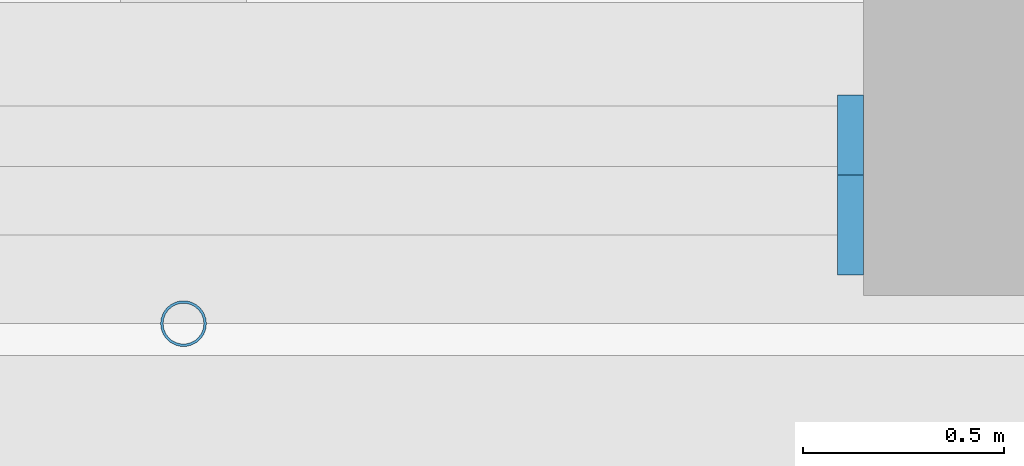
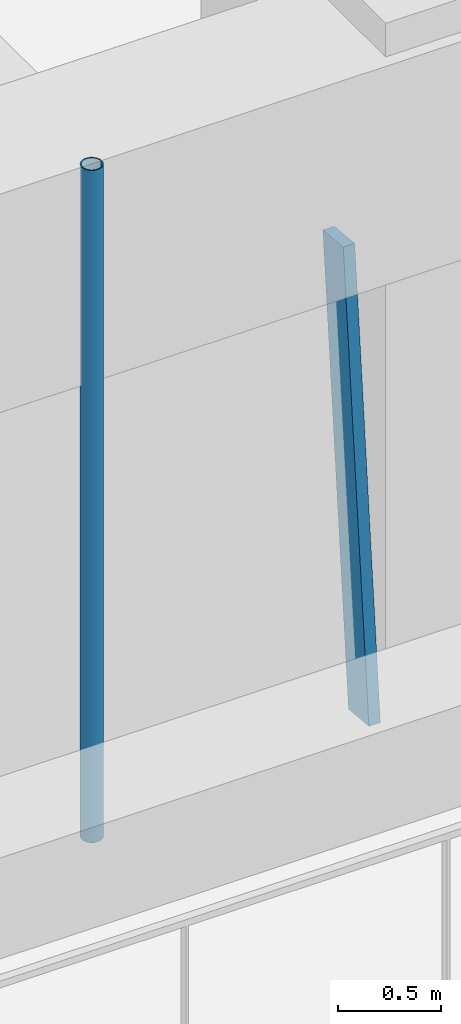
# One storey, part 4 of 23: 2 members, 1 element without a shape of its own.
"""IFC4 building model written with IfcOpenShell, lengths in metres."""

from ifc_helpers import new_model, si_unit, direction, frame, origin, origin_2d, place, context, subcontext, project, spatial, rectangle, hollow_circle, extrude, material, material_profile, profile_set, type_object, element, aggregate, save


model = new_model("IFC4")

# Units and contexts
model_context = context("Model", 3, precision=1e-05, world=origin(), true_north=direction((0.0, 1.0)))
body_context = subcontext(model_context, "Body", "Model", "MODEL_VIEW")
ifc_project = project(units=[si_unit("LENGTHUNIT", "METRE"), si_unit("AREAUNIT", "SQUARE_METRE"), si_unit("VOLUMEUNIT", "CUBIC_METRE"), si_unit("PLANEANGLEUNIT", "RADIAN"), si_unit("MASSUNIT", "GRAM", prefix="KILO")], contexts=[model_context])

# Site, building, storey
site_placement = place(None, origin())
site = spatial("IfcSite", under=ifc_project, at=site_placement, CompositionType="ELEMENT")
building_placement = place(site_placement, origin())
building = spatial("IfcBuilding", under=site, at=building_placement, Name="Tarfa Lantern Tower", CompositionType="ELEMENT")
storey_placement = place(building_placement, frame((0.0, 0.0, 48.699951171875)))
storey = spatial("IfcBuildingStorey", under=building, at=storey_placement, Name="L10", CompositionType="ELEMENT", Elevation=48.699951171875)

# Curtain wall, member
ifc_material_1 = material(Name="Aluminium framed curtain wall", Category="aluminium")
curtain_wall_type = type_object("IfcCurtainWallType", Name="CW1 CANTED GLAZING LOW ZONE 2700", PredefinedType="USERDEFINED", material=ifc_material_1)
curtain_wall_placement = place(storey_placement, origin())
curtain_wall = element("IfcCurtainWall", 1, at=curtain_wall_placement, inside=storey, type_object=curtain_wall_type, Name="CW1 S L10", ObjectType="CURTAIN WALL", PredefinedType="USERDEFINED")
ifc_material_2 = material(Name="Aluminium mullion", Category="aluminium")
ifc_material_profile_1 = material_profile(ifc_material_2, rectangle(XDim=0.06494140625, YDim=0.199951171875, at=origin_2d()), Name="AL MULLION 65x200")
ifc_profile_set_1 = profile_set([ifc_material_profile_1], Name="Aluminium mullion")
member_type_1 = type_object("IfcMemberType", Name="CWM1 MULLION 65x200", PredefinedType="MULLION", material=ifc_profile_set_1)
member_1_placement = place(storey_placement, frame((9.74462890625, -33.89990234375, 0.0), z_axis=(0.0, 0.092199863775, 0.995740520979), x_axis=(-1.0, 0.0, 0.0)))
member_1 = element("IfcMember", 2, at=member_1_placement, type_object=member_type_1, Name="CW1 mullion 2", PredefinedType="MULLION", context=body_context, shape_type="SweptSolid", body=[
    extrude(rectangle(XDim=0.06494140625, YDim=0.199951171875, at=origin_2d()), origin(), (0.0, 0.0, 1.0), 2.71142578125),
])
aggregate(curtain_wall, [member_1])

# Member
ifc_material_3 = material(Name="Steel S355", Category="steel")
ifc_material_profile_2 = material_profile(ifc_material_3, hollow_circle(Radius=0.05712890625, WallThickness=0.00634765625, at=origin_2d()), Name="CHS114.3x6.3")
ifc_profile_set_2 = profile_set([ifc_material_profile_2], Name="Steel S355")
member_type_2 = type_object("IfcMemberType", Name="TR1 GREEN WALL TRELLIS CHS114.3x6.3", PredefinedType="USERDEFINED", material=ifc_profile_set_2)
member_2_placement = place(storey_placement, frame((8.0830078125, -34.1201171875, 0.0), z_axis=(0.0, 0.0, 1.0), x_axis=(1.0, 0.0, 0.0)))
element("IfcMember", 3, at=member_2_placement, inside=storey, type_object=member_type_2, Name="Trellis post S 2", ObjectType="TRELLIS", PredefinedType="USERDEFINED", context=body_context, shape_type="SweptSolid", body=[
    extrude(hollow_circle(Radius=0.05712890625, WallThickness=0.00634765625, at=origin_2d()), origin(), (0.0, 0.0, 1.0), 4.0),
])

save(model, "model.ifc")
